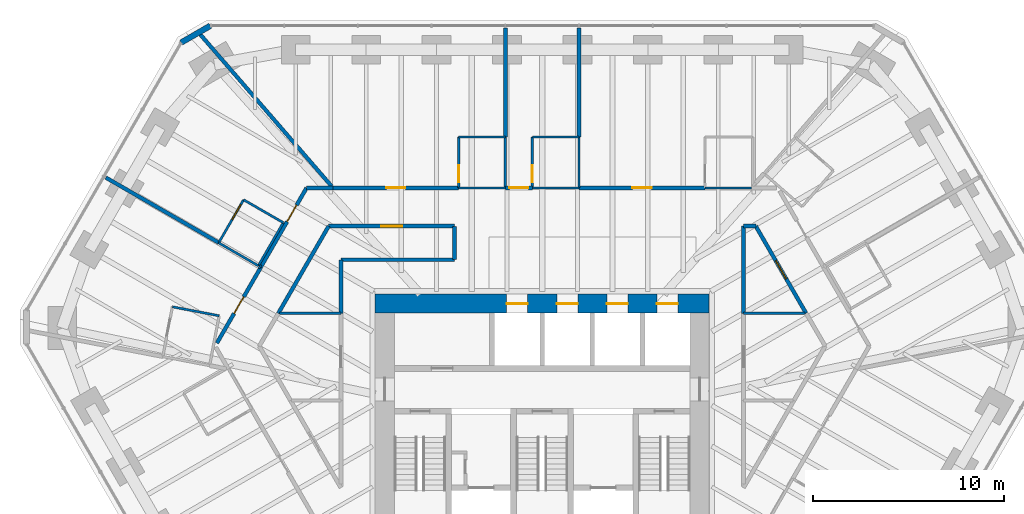
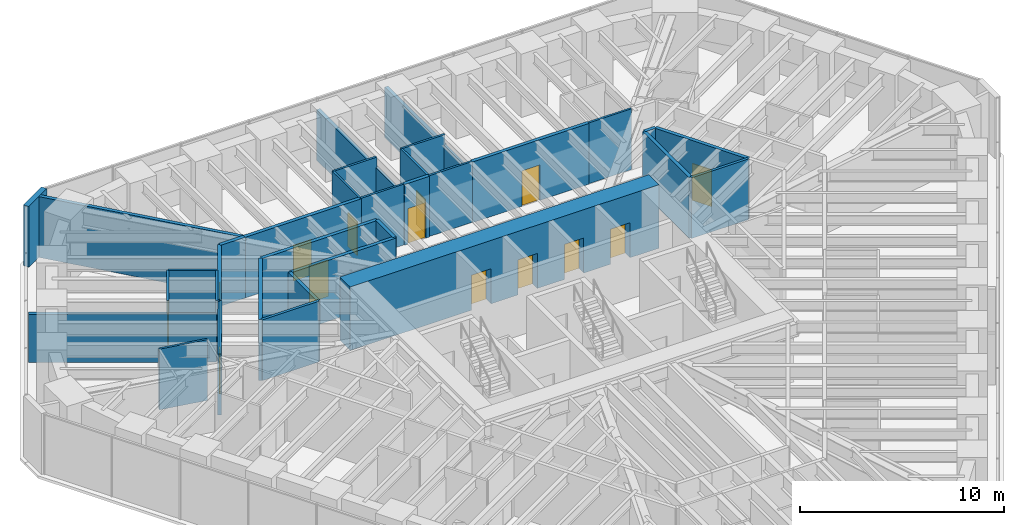
# One storey, part 14 of 16: 37 walls, 14 doors, 14 openings.
"""IFC4 building model written with IfcOpenShell, lengths in metres."""

from ifc_helpers import new_model, si_unit, direction, frame, frame_2d, origin, place, context, subcontext, project, spatial, rectangle, extrude, material, layer, layer_set, type_object, element, fill, save


model = new_model("IFC4")

# Units and contexts
model_context = context("Model", 3, precision=1e-05, world=origin(), true_north=direction((0.0, 1.0)))
body_context = subcontext(model_context, "Body", "Model", "MODEL_VIEW")
ifc_project = project(units=[si_unit("LENGTHUNIT", "METRE"), si_unit("AREAUNIT", "SQUARE_METRE"), si_unit("VOLUMEUNIT", "CUBIC_METRE"), si_unit("PLANEANGLEUNIT", "RADIAN"), si_unit("MASSUNIT", "GRAM", prefix="KILO")], contexts=[model_context])

# Site, building, storey
site_placement = place(None, origin())
site = spatial("IfcSite", under=ifc_project, at=site_placement, CompositionType="ELEMENT")
building_placement = place(site_placement, origin())
building = spatial("IfcBuilding", under=site, at=building_placement, Name="Sandreach Pilgrim Tower", CompositionType="ELEMENT")
storey_placement = place(building_placement, frame((0.0, 0.0, 187.0)))
storey = spatial("IfcBuildingStorey", under=building, at=storey_placement, Name="L46", CompositionType="ELEMENT", Elevation=187.0)

# Walls
ifc_material_1 = material(Name="Gypsum board on steel studs", Category="steel")
ifc_layer_1 = layer(ifc_material_1, 0.14990234375)
ifc_layer_set_1 = layer_set([ifc_layer_1], Name="Back of house wall 150")
wall_type_1 = type_object("IfcWallType", Name="Back of house wall 150", PredefinedType="PARTITIONING", material=ifc_layer_set_1)
for number, where, z_axis, x_axis, name in (
    (1, (-13.77490234375, 6.090087890625, 0.0), (0.0, 0.0, 1.0), (1.0, 0.0, 0.0), "Back of house wall L46-026"),
    (2, (13.77490234375, 6.090087890625, 0.0), (0.0, 0.0, 1.0), (-1.0, 0.0, 0.0), "Back of house wall L46-131"),
):
    element("IfcWall", number, at=place(storey_placement, frame(where, z_axis=z_axis, x_axis=x_axis)), inside=storey, type_object=wall_type_1, Name=name, PredefinedType="PARTITIONING", context=body_context, shape_type="SweptSolid", body=[
        extrude(rectangle(XDim=3.224853515625, YDim=0.14990234375, at=frame_2d((1.6123046875, 0.0))), origin(), (0.0, 0.0, 1.0), 3.639892578125),
    ])
ifc_material_2 = material(Name="Moisture-resistant gypsum board on steel studs", Category="steel")
ifc_layer_2 = layer(ifc_material_2, 0.1201171875)
ifc_layer_set_2 = layer_set([ifc_layer_2], Name="Bathroom partition 120")
wall_type_2 = type_object("IfcWallType", Name="Bathroom partition 120", PredefinedType="PARTITIONING", material=ifc_layer_set_2)
wall_1_placement = place(storey_placement, frame((-16.953857421875, 9.783447265625, 0.0), z_axis=(0.0, 0.0, 1.0), x_axis=(0.865862137391, -0.500282679124, 0.0)))
element("IfcWall", 3, at=wall_1_placement, inside=storey, type_object=wall_type_2, Name="Bathroom partition L46-011", PredefinedType="PARTITIONING", context=body_context, shape_type="SweptSolid", body=[
    extrude(rectangle(XDim=2.4013671875, YDim=0.1201171875, at=frame_2d((1.20068359375, 0.0))), origin(), (0.0, 0.0, 1.0), 2.8779296875),
])
wall_2_placement = place(storey_placement, frame((-16.929931640625, 5.9599609375, 0.0), z_axis=(0.0, 0.0, 1.0), x_axis=(-0.982097071605, 0.18837553436, 0.0)))
element("IfcWall", 4, at=wall_2_placement, inside=storey, type_object=wall_type_2, Name="Bathroom partition L46-013", PredefinedType="PARTITIONING", context=body_context, shape_type="SweptSolid", body=[
    extrude(rectangle(XDim=2.494873046875, YDim=0.1201171875, at=frame_2d((1.24755859375, 0.0))), origin(), (0.0, 0.0, 1.0), 3.639892578125),
])

# Wall, opening, door
wall_3_placement = place(storey_placement, frame((-15.64990234375, 12.0400390625, 0.0), z_axis=(0.0, 0.0, 1.0), x_axis=(-0.500291685314, -0.865856933682, 0.0)))
wall_3 = element("IfcWall", 5, at=wall_3_placement, inside=storey, type_object=wall_type_2, Name="Bathroom partition L46-016", PredefinedType="PARTITIONING", context=body_context, shape_type="SweptSolid", body=[
    extrude(rectangle(XDim=2.5986328125, YDim=0.1201171875, at=frame_2d((1.29931640625, 0.0))), origin(), (0.0, 0.0, 1.0), 3.639892578125),
])
opening_1_placement = place(wall_3_placement, frame((0.300048828125, 0.0, 0.0)))
opening_1 = element("IfcOpeningElement", 6, at=opening_1_placement, cuts=wall_3, Name="Opening D09-17B", PredefinedType="OPENING", context=body_context, shape_type="SweptSolid", body=[
    extrude(rectangle(XDim=0.89990234375, YDim=2.030029296875, at=frame_2d((0.449951171875, 1.01513671875))), frame((0.0, 0.06005859375, 0.0), z_axis=(0.0, -1.0, 0.0), x_axis=(1.0, 0.0, 0.0)), (0.0, 0.0, 1.0), 0.1201171875),
])
ifc_material_3 = material(Name="Timber door, steel frame", Category="steel")
door_type_1 = type_object("IfcDoorType", Name="Bathroom door", OperationType="SINGLE_SWING_LEFT", PredefinedType="DOOR", material=ifc_material_3)
door_1_placement = place(opening_1_placement, origin())
door_1 = element("IfcDoor", 7, at=door_1_placement, inside=storey, type_object=door_type_1, Name="Door 4617B", OperationType="SINGLE_SWING_LEFT", OverallHeight=2.030029296875, OverallWidth=0.89990234375, PredefinedType="DOOR", context=body_context, shape_type="SweptSolid", body=[
    extrude(rectangle(XDim=0.89990234375, YDim=2.030029296875, at=frame_2d((0.449951171875, 1.01513671875))), frame((0.0, 0.02490234375, 0.0), z_axis=(0.0, -1.0, 0.0), x_axis=(1.0, 0.0, 0.0)), (0.0, 0.0, 1.0), 0.050048828125),
])
fill(opening_1, door_1)

# Walls
wall_4_placement = place(storey_placement, frame((-14.8701171875, 8.590087890625, 0.0), z_axis=(0.0, 0.0, 1.0), x_axis=(0.500291685314, 0.865856933682, 0.0)))
element("IfcWall", 8, at=wall_4_placement, inside=storey, type_object=wall_type_2, Name="Bathroom partition L46-018", PredefinedType="PARTITIONING", context=body_context, shape_type="SweptSolid", body=[
    extrude(rectangle(XDim=2.5986328125, YDim=0.1201171875, at=frame_2d((1.29931640625, 0.0))), origin(), (0.0, 0.0, 1.0), 3.639892578125),
])
wall_5_placement = place(storey_placement, frame((-13.570068359375, 10.840087890625, 0.0), z_axis=(0.0, 0.0, 1.0), x_axis=(-0.866177122335, 0.499737123639, 0.0)))
element("IfcWall", 9, at=wall_5_placement, inside=storey, type_object=wall_type_2, Name="Bathroom partition L46-027", PredefinedType="PARTITIONING", context=body_context, shape_type="SweptSolid", body=[
    extrude(rectangle(XDim=2.401123046875, YDim=0.1201171875, at=frame_2d((1.20068359375, 0.0))), origin(), (0.0, 0.0, 1.0), 3.639892578125),
])

# Wall, opening, door
wall_6_placement = place(storey_placement, frame((-4.3798828125, 15.330078125, 0.0), z_axis=(0.0, 0.0, 1.0), x_axis=(0.0, -1.0, 0.0)))
wall_6 = element("IfcWall", 10, at=wall_6_placement, inside=storey, type_object=wall_type_2, Name="Bathroom partition L46-052", PredefinedType="PARTITIONING", context=body_context, shape_type="SweptSolid", body=[
    extrude(rectangle(XDim=2.670166015625, YDim=0.1201171875, at=frame_2d((1.3349609375, 0.0))), origin(), (0.0, 0.0, 1.0), 3.639892578125),
])
opening_2_placement = place(wall_6_placement, frame((1.469970703125, 0.0, 0.0)))
opening_2 = element("IfcOpeningElement", 11, at=opening_2_placement, cuts=wall_6, Name="Opening D09-01B", PredefinedType="OPENING", context=body_context, shape_type="SweptSolid", body=[
    extrude(rectangle(XDim=0.89990234375, YDim=2.030029296875, at=frame_2d((0.449951171875, 1.01513671875))), frame((0.0, 0.06005859375, 0.0), z_axis=(0.0, -1.0, 0.0), x_axis=(1.0, 0.0, 0.0)), (0.0, 0.0, 1.0), 0.1201171875),
])
door_2_placement = place(opening_2_placement, origin())
door_2 = element("IfcDoor", 12, at=door_2_placement, inside=storey, type_object=door_type_1, Name="Door 4601B", OperationType="SINGLE_SWING_RIGHT", OverallHeight=2.030029296875, OverallWidth=0.89990234375, PredefinedType="DOOR", context=body_context, shape_type="SweptSolid", body=[
    extrude(rectangle(XDim=0.89990234375, YDim=2.030029296875, at=frame_2d((0.449951171875, 1.01513671875))), frame((0.0, 0.02490234375, 0.0), z_axis=(0.0, -1.0, 0.0), x_axis=(1.0, 0.0, 0.0)), (0.0, 0.0, 1.0), 0.050048828125),
])
fill(opening_2, door_2)

# Walls
for number, where, z_axis, x_axis, name in (
    (13, (-1.929931640625, 12.659912109375, 0.0), (0.0, 0.0, 1.0), (-1.0, 0.0, 0.0), "Bathroom partition L46-064"),
    (14, (-1.929931640625, 15.330078125, 0.0), (0.0, 0.0, 1.0), (-1.0, 0.0, 0.0), "Bathroom partition L46-065"),
):
    element("IfcWall", number, at=place(storey_placement, frame(where, z_axis=z_axis, x_axis=x_axis)), inside=storey, type_object=wall_type_2, Name=name, PredefinedType="PARTITIONING", context=body_context, shape_type="SweptSolid", body=[
        extrude(rectangle(XDim=2.449951171875, YDim=0.1201171875, at=frame_2d((1.22509765625, 0.0))), origin(), (0.0, 0.0, 1.0), 3.639892578125),
    ])
wall_7_placement = place(storey_placement, frame((-1.929931640625, 15.330078125, 0.0), z_axis=(0.0, 0.0, 1.0), x_axis=(0.0, -1.0, 0.0)))
element("IfcWall", 15, at=wall_7_placement, inside=storey, type_object=wall_type_2, Name="Bathroom partition L46-066", PredefinedType="PARTITIONING", context=body_context, shape_type="SweptSolid", body=[
    extrude(rectangle(XDim=2.670166015625, YDim=0.1201171875, at=frame_2d((1.3349609375, 0.0))), origin(), (0.0, 0.0, 1.0), 3.022705078125),
])

# Wall, opening, door
wall_8_placement = place(storey_placement, frame((-0.52001953125, 15.330078125, 0.0), z_axis=(0.0, 0.0, 1.0), x_axis=(0.0, -1.0, 0.0)))
wall_8 = element("IfcWall", 16, at=wall_8_placement, inside=storey, type_object=wall_type_2, Name="Bathroom partition L46-073", PredefinedType="PARTITIONING", context=body_context, shape_type="SweptSolid", body=[
    extrude(rectangle(XDim=2.670166015625, YDim=0.1201171875, at=frame_2d((1.3349609375, 0.0))), origin(), (0.0, 0.0, 1.0), 3.639892578125),
])
opening_3_placement = place(wall_8_placement, frame((1.469970703125, 0.0, 0.0)))
opening_3 = element("IfcOpeningElement", 17, at=opening_3_placement, cuts=wall_8, Name="Opening D09-02B", PredefinedType="OPENING", context=body_context, shape_type="SweptSolid", body=[
    extrude(rectangle(XDim=0.89990234375, YDim=2.030029296875, at=frame_2d((0.449951171875, 1.01513671875))), frame((0.0, 0.06005859375, 0.0), z_axis=(0.0, -1.0, 0.0), x_axis=(1.0, 0.0, 0.0)), (0.0, 0.0, 1.0), 0.1201171875),
])
door_3_placement = place(opening_3_placement, origin())
door_3 = element("IfcDoor", 18, at=door_3_placement, inside=storey, type_object=door_type_1, Name="Door 4602B", OperationType="SINGLE_SWING_RIGHT", OverallHeight=2.030029296875, OverallWidth=0.89990234375, PredefinedType="DOOR", context=body_context, shape_type="SweptSolid", body=[
    extrude(rectangle(XDim=0.89990234375, YDim=2.030029296875, at=frame_2d((0.449951171875, 1.01513671875))), frame((0.0, 0.02490234375, 0.0), z_axis=(0.0, -1.0, 0.0), x_axis=(1.0, 0.0, 0.0)), (0.0, 0.0, 1.0), 0.050048828125),
])
fill(opening_3, door_3)

# Walls
for number, where, z_axis, x_axis, name in (
    (19, (1.929931640625, 12.659912109375, 0.0), (0.0, 0.0, 1.0), (-1.0, 0.0, 0.0), "Bathroom partition L46-080"),
    (20, (1.929931640625, 15.330078125, 0.0), (0.0, 0.0, 1.0), (-1.0, 0.0, 0.0), "Bathroom partition L46-081"),
):
    element("IfcWall", number, at=place(storey_placement, frame(where, z_axis=z_axis, x_axis=x_axis)), inside=storey, type_object=wall_type_2, Name=name, PredefinedType="PARTITIONING", context=body_context, shape_type="SweptSolid", body=[
        extrude(rectangle(XDim=2.449951171875, YDim=0.1201171875, at=frame_2d((1.22509765625, 0.0))), origin(), (0.0, 0.0, 1.0), 3.639892578125),
    ])
wall_9_placement = place(storey_placement, frame((1.929931640625, 15.330078125, 0.0), z_axis=(0.0, 0.0, 1.0), x_axis=(0.0, -1.0, 0.0)))
element("IfcWall", 21, at=wall_9_placement, inside=storey, type_object=wall_type_2, Name="Bathroom partition L46-082", PredefinedType="PARTITIONING", context=body_context, shape_type="SweptSolid", body=[
    extrude(rectangle(XDim=2.670166015625, YDim=0.1201171875, at=frame_2d((1.3349609375, 0.0))), origin(), (0.0, 0.0, 1.0), 3.022705078125),
])
wall_10_placement = place(storey_placement, frame((10.9599609375, 12.659912109375, 0.0), z_axis=(0.0, 0.0, 1.0), x_axis=(-1.0, 0.0, 0.0)))
element("IfcWall", 22, at=wall_10_placement, inside=storey, type_object=wall_type_2, Name="Bathroom partition L46-111", PredefinedType="PARTITIONING", context=body_context, shape_type="SweptSolid", body=[
    extrude(rectangle(XDim=2.429931640625, YDim=0.1201171875, at=frame_2d((1.21484375, 0.0))), origin(), (0.0, 0.0, 1.0), 3.639892578125),
])

# Wall, openings, doors
ifc_material_4 = material(Name="Concrete 10000 psi", Category="concrete")
ifc_layer_3 = layer(ifc_material_4, 1.0)
ifc_layer_set_3 = layer_set([ifc_layer_3], Name="Core wall 1000")
wall_type_3 = type_object("IfcWallType", Name="Core wall 1000", PredefinedType="SHEAR", material=ifc_layer_set_3)
wall_11_placement = place(storey_placement, frame((-8.75, 6.60009765625, 0.0), z_axis=(0.0, 0.0, 1.0), x_axis=(1.0, 0.0, 0.0)))
wall_11 = element("IfcWall", 23, at=wall_11_placement, inside=storey, type_object=wall_type_3, Name="Core wall N L46", PredefinedType="SHEAR", context=body_context, shape_type="SweptSolid", body=[
    extrude(rectangle(XDim=17.5, YDim=1.0, at=frame_2d((8.75, 0.0))), origin(), (0.0, 0.0, 1.0), 3.800048828125),
])
opening_4_placement = place(wall_11_placement, frame((6.887451171875, 0.0, 0.0)))
opening_4 = element("IfcOpeningElement", 24, at=opening_4_placement, cuts=wall_11, Name="Opening LD11", PredefinedType="OPENING", context=body_context, shape_type="SweptSolid", body=[
    extrude(rectangle(XDim=1.10009765625, YDim=2.10009765625, at=frame_2d((0.550048828125, 1.050048828125))), frame((0.0, 0.5, 0.0), z_axis=(0.0, -1.0, 0.0), x_axis=(1.0, 0.0, 0.0)), (0.0, 0.0, 1.0), 1.0),
])
opening_5_placement = place(wall_11_placement, frame((9.512451171875, 0.0, 0.0)))
opening_5 = element("IfcOpeningElement", 25, at=opening_5_placement, cuts=wall_11, Name="Opening LD11", PredefinedType="OPENING", context=body_context, shape_type="SweptSolid", body=[
    extrude(rectangle(XDim=1.10009765625, YDim=2.10009765625, at=frame_2d((0.550048828125, 1.050048828125))), frame((0.0, 0.5, 0.0), z_axis=(0.0, -1.0, 0.0), x_axis=(1.0, 0.0, 0.0)), (0.0, 0.0, 1.0), 1.0),
])
opening_6_placement = place(wall_11_placement, frame((12.137451171875, 0.0, 0.0)))
opening_6 = element("IfcOpeningElement", 26, at=opening_6_placement, cuts=wall_11, Name="Opening LD11", PredefinedType="OPENING", context=body_context, shape_type="SweptSolid", body=[
    extrude(rectangle(XDim=1.10009765625, YDim=2.10009765625, at=frame_2d((0.550048828125, 1.050048828125))), frame((0.0, 0.5, 0.0), z_axis=(0.0, -1.0, 0.0), x_axis=(1.0, 0.0, 0.0)), (0.0, 0.0, 1.0), 1.0),
])
opening_7_placement = place(wall_11_placement, frame((14.762451171875, 0.0, 0.0)))
opening_7 = element("IfcOpeningElement", 27, at=opening_7_placement, cuts=wall_11, Name="Opening LD11", PredefinedType="OPENING", context=body_context, shape_type="SweptSolid", body=[
    extrude(rectangle(XDim=1.10009765625, YDim=2.10009765625, at=frame_2d((0.550048828125, 1.050048828125))), frame((0.0, 0.5, 0.0), z_axis=(0.0, -1.0, 0.0), x_axis=(1.0, 0.0, 0.0)), (0.0, 0.0, 1.0), 1.0),
])
ifc_material_5 = material(Name="Steel door and frame", Category="steel")
door_type_2 = type_object("IfcDoorType", Name="Lift landing door", OperationType="DOUBLE_DOOR_SLIDING", PredefinedType="DOOR", material=ifc_material_5)
door_4_placement = place(opening_4_placement, origin())
door_4 = element("IfcDoor", 28, at=door_4_placement, inside=storey, type_object=door_type_2, Name="Lift landing door Z3A L46", OperationType="DOUBLE_DOOR_SLIDING", OverallHeight=2.10009765625, OverallWidth=1.10009765625, PredefinedType="DOOR", context=body_context, shape_type="SweptSolid", body=[
    extrude(rectangle(XDim=1.10009765625, YDim=2.10009765625, at=frame_2d((0.550048828125, 1.050048828125))), frame((0.0, 0.02490234375, 0.0), z_axis=(0.0, -1.0, 0.0), x_axis=(1.0, 0.0, 0.0)), (0.0, 0.0, 1.0), 0.050048828125),
])
fill(opening_4, door_4)
door_5_placement = place(opening_5_placement, origin())
door_5 = element("IfcDoor", 29, at=door_5_placement, inside=storey, type_object=door_type_2, Name="Lift landing door Z3B L46", OperationType="DOUBLE_DOOR_SLIDING", OverallHeight=2.10009765625, OverallWidth=1.10009765625, PredefinedType="DOOR", context=body_context, shape_type="SweptSolid", body=[
    extrude(rectangle(XDim=1.10009765625, YDim=2.10009765625, at=frame_2d((0.550048828125, 1.050048828125))), frame((0.0, 0.02490234375, 0.0), z_axis=(0.0, -1.0, 0.0), x_axis=(1.0, 0.0, 0.0)), (0.0, 0.0, 1.0), 0.050048828125),
])
fill(opening_5, door_5)
door_6_placement = place(opening_6_placement, origin())
door_6 = element("IfcDoor", 30, at=door_6_placement, inside=storey, type_object=door_type_2, Name="Lift landing door Z3C L46", OperationType="DOUBLE_DOOR_SLIDING", OverallHeight=2.10009765625, OverallWidth=1.10009765625, PredefinedType="DOOR", context=body_context, shape_type="SweptSolid", body=[
    extrude(rectangle(XDim=1.10009765625, YDim=2.10009765625, at=frame_2d((0.550048828125, 1.050048828125))), frame((0.0, 0.02490234375, 0.0), z_axis=(0.0, -1.0, 0.0), x_axis=(1.0, 0.0, 0.0)), (0.0, 0.0, 1.0), 0.050048828125),
])
fill(opening_6, door_6)
door_7_placement = place(opening_7_placement, origin())
door_7 = element("IfcDoor", 31, at=door_7_placement, inside=storey, type_object=door_type_2, Name="Lift landing door Z3D L46", OperationType="DOUBLE_DOOR_SLIDING", OverallHeight=2.10009765625, OverallWidth=1.10009765625, PredefinedType="DOOR", context=body_context, shape_type="SweptSolid", body=[
    extrude(rectangle(XDim=1.10009765625, YDim=2.10009765625, at=frame_2d((0.550048828125, 1.050048828125))), frame((0.0, 0.02490234375, 0.0), z_axis=(0.0, -1.0, 0.0), x_axis=(1.0, 0.0, 0.0)), (0.0, 0.0, 1.0), 0.050048828125),
])
fill(opening_7, door_7)

# Wall, opening, door
ifc_material_6 = material(Name="Gypsum board on steel studs, two layers each side", Category="steel")
ifc_layer_4 = layer(ifc_material_6, 0.199951171875)
ifc_layer_set_4 = layer_set([ifc_layer_4], Name="Corridor wall 200")
wall_type_4 = type_object("IfcWallType", Name="Corridor wall 200", PredefinedType="PARTITIONING", material=ifc_layer_set_4)
wall_12_placement = place(storey_placement, frame((-14.75, 8.510009765625, 0.0), z_axis=(0.0, 0.0, 1.0), x_axis=(0.500618647881, 0.86566793252, 0.0)))
wall_12 = element("IfcWall", 32, at=wall_12_placement, inside=storey, type_object=wall_type_4, Name="Corridor wall L46-021", PredefinedType="PARTITIONING", context=body_context, shape_type="SweptSolid", body=[
    extrude(rectangle(XDim=4.7939453125, YDim=0.199951171875, at=frame_2d((2.39697265625, 0.0))), origin(), (0.0, 0.0, 1.0), 3.639892578125),
])
opening_8_placement = place(wall_12_placement, frame((2.75, 0.0, 0.0)))
opening_8 = element("IfcOpeningElement", 33, at=opening_8_placement, cuts=wall_12, Name="Opening D10-17", PredefinedType="OPENING", context=body_context, shape_type="SweptSolid", body=[
    extrude(rectangle(XDim=1.0, YDim=2.1298828125, at=frame_2d((0.5, 1.06494140625))), frame((0.0, 0.10009765625, 0.0), z_axis=(0.0, -1.0, 0.0), x_axis=(1.0, 0.0, 0.0)), (0.0, 0.0, 1.0), 0.199951171875),
])
ifc_material_7 = material(Name="Steel door and frame", Category="steel")
door_type_3 = type_object("IfcDoorType", Name="Guest room entry door", OperationType="SINGLE_SWING_LEFT", PredefinedType="DOOR", material=ifc_material_7)
door_8_placement = place(opening_8_placement, origin())
door_8 = element("IfcDoor", 34, at=door_8_placement, inside=storey, type_object=door_type_3, Name="Door 4617", OperationType="SINGLE_SWING_RIGHT", OverallHeight=2.1298828125, OverallWidth=1.0, PredefinedType="DOOR", context=body_context, shape_type="SweptSolid", body=[
    extrude(rectangle(XDim=1.0, YDim=2.1298828125, at=frame_2d((0.5, 1.06494140625))), frame((0.0, 0.02490234375, 0.0), z_axis=(0.0, -1.0, 0.0), x_axis=(1.0, 0.0, 0.0)), (0.0, 0.0, 1.0), 0.050048828125),
])
fill(opening_8, door_8)

wall_13_placement = place(storey_placement, frame((-14.739990234375, 8.510009765625, 0.0), z_axis=(0.0, 0.0, 1.0), x_axis=(-0.501513165407, -0.865150012959, 0.0)))
wall_13 = element("IfcWall", 35, at=wall_13_placement, inside=storey, type_object=wall_type_4, Name="Corridor wall L46-022", PredefinedType="PARTITIONING", context=body_context, shape_type="SweptSolid", body=[
    extrude(rectangle(XDim=4.600341796875, YDim=0.199951171875, at=frame_2d((2.30029296875, 0.0))), origin(), (0.0, 0.0, 1.0), 3.639892578125),
])
opening_9_placement = place(wall_13_placement, frame((1.80029296875, 0.0, 0.0)))
opening_9 = element("IfcOpeningElement", 36, at=opening_9_placement, cuts=wall_13, Name="Opening D10-16", PredefinedType="OPENING", context=body_context, shape_type="SweptSolid", body=[
    extrude(rectangle(XDim=1.0, YDim=2.1298828125, at=frame_2d((0.5, 1.06494140625))), frame((0.0, 0.10009765625, 0.0), z_axis=(0.0, -1.0, 0.0), x_axis=(1.0, 0.0, 0.0)), (0.0, 0.0, 1.0), 0.199951171875),
])
door_9_placement = place(opening_9_placement, origin())
door_9 = element("IfcDoor", 37, at=door_9_placement, inside=storey, type_object=door_type_3, Name="Door 4616", OperationType="SINGLE_SWING_LEFT", OverallHeight=2.1298828125, OverallWidth=1.0, PredefinedType="DOOR", context=body_context, shape_type="SweptSolid", body=[
    extrude(rectangle(XDim=1.0, YDim=2.1298828125, at=frame_2d((0.5, 1.06494140625))), frame((0.0, 0.02490234375, 0.0), z_axis=(0.0, -1.0, 0.0), x_axis=(1.0, 0.0, 0.0)), (0.0, 0.0, 1.0), 0.050048828125),
])
fill(opening_9, door_9)

# Wall
wall_14_placement = place(storey_placement, frame((-13.830078125, 6.090087890625, 0.0), z_axis=(0.0, 0.0, 1.0), x_axis=(0.500248310865, 0.865881993967, 0.0)))
element("IfcWall", 38, at=wall_14_placement, inside=storey, type_object=wall_type_4, Name="Corridor wall L46-025", PredefinedType="PARTITIONING", context=body_context, shape_type="SweptSolid", body=[
    extrude(rectangle(XDim=5.277587890625, YDim=0.199951171875, at=frame_2d((2.638671875, 0.0))), origin(), (0.0, 0.0, 1.0), 3.639892578125),
])

# Wall, opening, door
wall_15_placement = place(storey_placement, frame((-11.18994140625, 10.659912109375, 0.0), z_axis=(0.0, 0.0, 1.0), x_axis=(1.0, 0.0, 0.0)))
wall_15 = element("IfcWall", 39, at=wall_15_placement, inside=storey, type_object=wall_type_4, Name="Corridor wall L46-033", PredefinedType="PARTITIONING", context=body_context, shape_type="SweptSolid", body=[
    extrude(rectangle(XDim=6.58984375, YDim=0.199951171875, at=frame_2d((3.294921875, 0.0))), origin(), (0.0, 0.0, 1.0), 3.639892578125),
])
opening_10_placement = place(wall_15_placement, frame((2.7451171875, 0.0, 0.0)))
opening_10 = element("IfcOpeningElement", 40, at=opening_10_placement, cuts=wall_15, Name="Opening D11H-M03", PredefinedType="OPENING", context=body_context, shape_type="SweptSolid", body=[
    extrude(rectangle(XDim=1.10009765625, YDim=2.199951171875, at=frame_2d((0.550048828125, 1.10009765625))), frame((0.0, 0.10009765625, 0.0), z_axis=(0.0, -1.0, 0.0), x_axis=(1.0, 0.0, 0.0)), (0.0, 0.0, 1.0), 0.199951171875),
])
ifc_material_8 = material(Name="Steel door and frame", Category="steel")
door_type_4 = type_object("IfcDoorType", Name="Back of house door", OperationType="SINGLE_SWING_LEFT", PredefinedType="DOOR", material=ifc_material_8)
door_10_placement = place(opening_10_placement, origin())
door_10 = element("IfcDoor", 41, at=door_10_placement, inside=storey, type_object=door_type_4, Name="Door 46M03", OperationType="SINGLE_SWING_LEFT", OverallHeight=2.199951171875, OverallWidth=1.10009765625, PredefinedType="DOOR", context=body_context, shape_type="SweptSolid", body=[
    extrude(rectangle(XDim=1.10009765625, YDim=2.199951171875, at=frame_2d((0.550048828125, 1.10009765625))), frame((0.0, 0.02490234375, 0.0), z_axis=(0.0, -1.0, 0.0), x_axis=(1.0, 0.0, 0.0)), (0.0, 0.0, 1.0), 0.050048828125),
])
fill(opening_10, door_10)

# Walls
wall_16_placement = place(storey_placement, frame((-10.9599609375, 12.659912109375, 0.0), z_axis=(0.0, 0.0, 1.0), x_axis=(-1.0, 0.0, 0.0)))
element("IfcWall", 42, at=wall_16_placement, inside=storey, type_object=wall_type_4, Name="Corridor wall L46-036", PredefinedType="PARTITIONING", context=body_context, shape_type="SweptSolid", body=[
    extrude(rectangle(XDim=1.39013671875, YDim=0.199951171875, at=frame_2d((0.695068359375, 0.0))), origin(), (0.0, 0.0, 1.0), 3.639892578125),
])
wall_17_placement = place(storey_placement, frame((-10.550048828125, 8.889892578125, 0.0), z_axis=(0.0, 0.0, 1.0), x_axis=(0.0, -1.0, 0.0)))
element("IfcWall", 43, at=wall_17_placement, inside=storey, type_object=wall_type_4, Name="Corridor wall L46-042", PredefinedType="PARTITIONING", context=body_context, shape_type="SweptSolid", body=[
    extrude(rectangle(XDim=2.7998046875, YDim=0.199951171875, at=frame_2d((1.39990234375, 0.0))), origin(), (0.0, 0.0, 1.0), 3.639892578125),
])
wall_18_placement = place(storey_placement, frame((-4.60009765625, 8.89990234375, 0.0), z_axis=(0.0, 0.0, 1.0), x_axis=(-1.0, 0.0, 0.0)))
element("IfcWall", 44, at=wall_18_placement, inside=storey, type_object=wall_type_4, Name="Corridor wall L46-049", PredefinedType="PARTITIONING", context=body_context, shape_type="SweptSolid", body=[
    extrude(rectangle(XDim=5.949951171875, YDim=0.199951171875, at=frame_2d((2.97509765625, 0.0))), origin(), (0.0, 0.0, 1.0), 3.639892578125),
])
wall_19_placement = place(storey_placement, frame((-4.60009765625, 10.64990234375, 0.0), z_axis=(0.0, 0.0, 1.0), x_axis=(0.0, -1.0, 0.0)))
element("IfcWall", 45, at=wall_19_placement, inside=storey, type_object=wall_type_4, Name="Corridor wall L46-050", PredefinedType="PARTITIONING", context=body_context, shape_type="SweptSolid", body=[
    extrude(rectangle(XDim=1.739990234375, YDim=0.199951171875, at=frame_2d((0.8701171875, 0.0))), origin(), (0.0, 0.0, 1.0), 3.639892578125),
])

# Wall, opening, door
wall_20_placement = place(storey_placement, frame((-4.3798828125, 12.659912109375, 0.0), z_axis=(0.0, 0.0, 1.0), x_axis=(-1.0, 0.0, 0.0)))
wall_20 = element("IfcWall", 46, at=wall_20_placement, inside=storey, type_object=wall_type_4, Name="Corridor wall L46-051", PredefinedType="PARTITIONING", context=body_context, shape_type="SweptSolid", body=[
    extrude(rectangle(XDim=6.580078125, YDim=0.199951171875, at=frame_2d((3.2900390625, 0.0))), origin(), (0.0, 0.0, 1.0), 3.639892578125),
])
opening_11_placement = place(wall_20_placement, frame((2.7900390625, 0.0, 0.0)))
opening_11 = element("IfcOpeningElement", 47, at=opening_11_placement, cuts=wall_20, Name="Opening D10-01", PredefinedType="OPENING", context=body_context, shape_type="SweptSolid", body=[
    extrude(rectangle(XDim=1.0, YDim=2.1298828125, at=frame_2d((0.5, 1.06494140625))), frame((0.0, 0.10009765625, 0.0), z_axis=(0.0, -1.0, 0.0), x_axis=(1.0, 0.0, 0.0)), (0.0, 0.0, 1.0), 0.199951171875),
])
door_11_placement = place(opening_11_placement, origin())
door_11 = element("IfcDoor", 48, at=door_11_placement, inside=storey, type_object=door_type_3, Name="Door 4601", OperationType="SINGLE_SWING_LEFT", OverallHeight=2.1298828125, OverallWidth=1.0, PredefinedType="DOOR", context=body_context, shape_type="SweptSolid", body=[
    extrude(rectangle(XDim=1.0, YDim=2.1298828125, at=frame_2d((0.5, 1.06494140625))), frame((0.0, 0.02490234375, 0.0), z_axis=(0.0, -1.0, 0.0), x_axis=(1.0, 0.0, 0.0)), (0.0, 0.0, 1.0), 0.050048828125),
])
fill(opening_11, door_11)

wall_21_placement = place(storey_placement, frame((-0.52001953125, 12.659912109375, 0.0), z_axis=(0.0, 0.0, 1.0), x_axis=(-1.0, 0.0, 0.0)))
wall_21 = element("IfcWall", 49, at=wall_21_placement, inside=storey, type_object=wall_type_4, Name="Corridor wall L46-072", PredefinedType="PARTITIONING", context=body_context, shape_type="SweptSolid", body=[
    extrude(rectangle(XDim=1.409912109375, YDim=0.199951171875, at=frame_2d((0.705078125, 0.0))), origin(), (0.0, 0.0, 1.0), 3.639892578125),
])
opening_12_placement = place(wall_21_placement, frame((0.205078125, 0.0, 0.0)))
opening_12 = element("IfcOpeningElement", 50, at=opening_12_placement, cuts=wall_21, Name="Opening D10-02", PredefinedType="OPENING", context=body_context, shape_type="SweptSolid", body=[
    extrude(rectangle(XDim=1.0, YDim=2.1298828125, at=frame_2d((0.5, 1.06494140625))), frame((0.0, 0.10009765625, 0.0), z_axis=(0.0, -1.0, 0.0), x_axis=(1.0, 0.0, 0.0)), (0.0, 0.0, 1.0), 0.199951171875),
])
door_12_placement = place(opening_12_placement, origin())
door_12 = element("IfcDoor", 51, at=door_12_placement, inside=storey, type_object=door_type_3, Name="Door 4602", OperationType="SINGLE_SWING_LEFT", OverallHeight=2.1298828125, OverallWidth=1.0, PredefinedType="DOOR", context=body_context, shape_type="SweptSolid", body=[
    extrude(rectangle(XDim=1.0, YDim=2.1298828125, at=frame_2d((0.5, 1.06494140625))), frame((0.0, 0.02490234375, 0.0), z_axis=(0.0, -1.0, 0.0), x_axis=(1.0, 0.0, 0.0)), (0.0, 0.0, 1.0), 0.050048828125),
])
fill(opening_12, door_12)

wall_22_placement = place(storey_placement, frame((8.530029296875, 12.659912109375, 0.0), z_axis=(0.0, 0.0, 1.0), x_axis=(-1.0, 0.0, 0.0)))
wall_22 = element("IfcWall", 52, at=wall_22_placement, inside=storey, type_object=wall_type_4, Name="Corridor wall L46-101", PredefinedType="PARTITIONING", context=body_context, shape_type="SweptSolid", body=[
    extrude(rectangle(XDim=6.60009765625, YDim=0.199951171875, at=frame_2d((3.300048828125, 0.0))), origin(), (0.0, 0.0, 1.0), 3.639892578125),
])
opening_13_placement = place(wall_22_placement, frame((2.800048828125, 0.0, 0.0)))
opening_13 = element("IfcOpeningElement", 53, at=opening_13_placement, cuts=wall_22, Name="Opening D10-03", PredefinedType="OPENING", context=body_context, shape_type="SweptSolid", body=[
    extrude(rectangle(XDim=1.0, YDim=2.1298828125, at=frame_2d((0.5, 1.06494140625))), frame((0.0, 0.10009765625, 0.0), z_axis=(0.0, -1.0, 0.0), x_axis=(1.0, 0.0, 0.0)), (0.0, 0.0, 1.0), 0.199951171875),
])
door_13_placement = place(opening_13_placement, origin())
door_13 = element("IfcDoor", 54, at=door_13_placement, inside=storey, type_object=door_type_3, Name="Door 4603", OperationType="SINGLE_SWING_LEFT", OverallHeight=2.1298828125, OverallWidth=1.0, PredefinedType="DOOR", context=body_context, shape_type="SweptSolid", body=[
    extrude(rectangle(XDim=1.0, YDim=2.1298828125, at=frame_2d((0.5, 1.06494140625))), frame((0.0, 0.02490234375, 0.0), z_axis=(0.0, -1.0, 0.0), x_axis=(1.0, 0.0, 0.0)), (0.0, 0.0, 1.0), 0.050048828125),
])
fill(opening_13, door_13)

# Walls
wall_23_placement = place(storey_placement, frame((10.550048828125, 6.090087890625, 0.0), z_axis=(0.0, 0.0, 1.0), x_axis=(0.0, 1.0, 0.0)))
element("IfcWall", 55, at=wall_23_placement, inside=storey, type_object=wall_type_4, Name="Corridor wall L46-109", PredefinedType="PARTITIONING", context=body_context, shape_type="SweptSolid", body=[
    extrude(rectangle(XDim=4.56982421875, YDim=0.199951171875, at=frame_2d((2.284912109375, 0.0))), origin(), (0.0, 0.0, 1.0), 3.639892578125),
])
wall_24_placement = place(storey_placement, frame((10.56005859375, 10.659912109375, 0.0), z_axis=(0.0, 0.0, 1.0), x_axis=(1.0, 0.0, 0.0)))
element("IfcWall", 56, at=wall_24_placement, inside=storey, type_object=wall_type_4, Name="Corridor wall L46-110", PredefinedType="PARTITIONING", context=body_context, shape_type="SweptSolid", body=[
    extrude(rectangle(XDim=0.6298828125, YDim=0.199951171875, at=frame_2d((0.31494140625, 0.0))), origin(), (0.0, 0.0, 1.0), 3.639892578125),
])

# Wall, opening, door
wall_25_placement = place(storey_placement, frame((11.18994140625, 10.659912109375, 0.0), z_axis=(0.0, 0.0, 1.0), x_axis=(0.500248310865, -0.865881993967, 0.0)))
wall_25 = element("IfcWall", 57, at=wall_25_placement, inside=storey, type_object=wall_type_4, Name="Corridor wall L46-116", PredefinedType="PARTITIONING", context=body_context, shape_type="SweptSolid", body=[
    extrude(rectangle(XDim=5.277587890625, YDim=0.199951171875, at=frame_2d((2.638671875, 0.0))), origin(), (0.0, 0.0, 1.0), 3.639892578125),
])
opening_14_placement = place(wall_25_placement, frame((2.0888671875, 0.0, 0.0)))
opening_14 = element("IfcOpeningElement", 58, at=opening_14_placement, cuts=wall_25, Name="Opening D11H-M05", PredefinedType="OPENING", context=body_context, shape_type="SweptSolid", body=[
    extrude(rectangle(XDim=1.10009765625, YDim=2.199951171875, at=frame_2d((0.550048828125, 1.10009765625))), frame((0.0, 0.10009765625, 0.0), z_axis=(0.0, -1.0, 0.0), x_axis=(1.0, 0.0, 0.0)), (0.0, 0.0, 1.0), 0.199951171875),
])
door_14_placement = place(opening_14_placement, origin())
door_14 = element("IfcDoor", 59, at=door_14_placement, inside=storey, type_object=door_type_4, Name="Door 46M05", OperationType="SINGLE_SWING_LEFT", OverallHeight=2.199951171875, OverallWidth=1.10009765625, PredefinedType="DOOR", context=body_context, shape_type="SweptSolid", body=[
    extrude(rectangle(XDim=1.10009765625, YDim=2.199951171875, at=frame_2d((0.550048828125, 1.10009765625))), frame((0.0, 0.02490234375, 0.0), z_axis=(0.0, -1.0, 0.0), x_axis=(1.0, 0.0, 0.0)), (0.0, 0.0, 1.0), 0.050048828125),
])
fill(opening_14, door_14)

# Walls
ifc_material_9 = material(Name="Double steel stud acoustic wall, gypsum board", Category="steel")
ifc_layer_5 = layer(ifc_material_9, 0.199951171875)
ifc_layer_set_5 = layer_set([ifc_layer_5], Name="Party wall 200")
wall_type_5 = type_object("IfcWallType", Name="Party wall 200", PredefinedType="PARTITIONING", material=ifc_layer_set_5)
wall_26_placement = place(storey_placement, frame((-16.949951171875, 9.7900390625, 0.0), z_axis=(0.0, 0.0, 1.0), x_axis=(-0.866371236465, 0.499400521251, 0.0)))
element("IfcWall", 60, at=wall_26_placement, inside=storey, type_object=wall_type_5, Name="Party wall L46-012", PredefinedType="PARTITIONING", context=body_context, shape_type="SweptSolid", body=[
    extrude(rectangle(XDim=6.82861328125, YDim=0.199951171875, at=frame_2d((3.414306640625, 0.0))), origin(), (0.0, 0.0, 1.0), 2.8779296875),
])
wall_27_placement = place(storey_placement, frame((-14.826904296875, 8.554443359375, 0.0), z_axis=(0.0, 0.0, 1.0), x_axis=(0.865865073245, -0.500277597875, 0.0)))
element("IfcWall", 61, at=wall_27_placement, inside=storey, type_object=wall_type_5, Name="Party wall L46-020", PredefinedType="PARTITIONING", context=body_context, shape_type="SweptSolid", body=[
    extrude(rectangle(XDim=0.0888671875, YDim=0.199951171875, at=frame_2d((0.04443359375, 0.0))), origin(), (0.0, 0.0, 1.0), 3.639892578125),
])
wall_28_placement = place(storey_placement, frame((-11.02880859375, 12.739501953125, 0.0), z_axis=(0.0, 0.0, 1.0), x_axis=(-0.654429261747, 0.756123231603, 0.0)))
element("IfcWall", 62, at=wall_28_placement, inside=storey, type_object=wall_type_5, Name="Party wall L46-035", PredefinedType="PARTITIONING", context=body_context, shape_type="SweptSolid", body=[
    extrude(rectangle(XDim=10.683349609375, YDim=0.199951171875, at=frame_2d((5.341796875, 0.0))), origin(), (0.0, 0.0, 1.0), 3.639892578125),
])
for number, where, z_axis, x_axis, name in (
    (63, (-1.929931640625, 21.0400390625, 0.0), (0.0, 0.0, 1.0), (0.0, -1.0, 0.0), "Party wall L46-067"),
    (64, (1.929931640625, 21.0400390625, 0.0), (0.0, 0.0, 1.0), (0.0, -1.0, 0.0), "Party wall L46-083"),
):
    element("IfcWall", number, at=place(storey_placement, frame(where, z_axis=z_axis, x_axis=x_axis)), inside=storey, type_object=wall_type_5, Name=name, PredefinedType="PARTITIONING", context=body_context, shape_type="SweptSolid", body=[
        extrude(rectangle(XDim=5.7099609375, YDim=0.199951171875, at=frame_2d((2.85498046875, 0.0))), origin(), (0.0, 0.0, 1.0), 3.022705078125),
    ])
ifc_material_10 = material(Name="Terracotta rainscreen on concrete", Category="masonry")
ifc_layer_6 = layer(ifc_material_10, 0.300048828125)
ifc_layer_set_6 = layer_set([ifc_layer_6], Name="Terracotta chamfer pier")
wall_type_6 = type_object("IfcWallType", Name="Terracotta chamfer pier", PredefinedType="SOLIDWALL", material=ifc_layer_set_6)
wall_29_placement = place(storey_placement, frame((-18.9228515625, 20.275146484375, 0.0), z_axis=(0.0, 0.0, 1.0), x_axis=(0.866036293601, 0.499981137809, 0.0)))
element("IfcWall", 65, at=wall_29_placement, inside=storey, type_object=wall_type_6, Name="Chamfer pier L46 NW", PredefinedType="SOLIDWALL", context=body_context, shape_type="SweptSolid", body=[
    extrude(rectangle(XDim=1.77001953125, YDim=0.300048828125, at=frame_2d((0.885009765625, 0.0))), origin(), (0.0, 0.0, 1.0), 3.639892578125),
])

save(model, "model.ifc")
